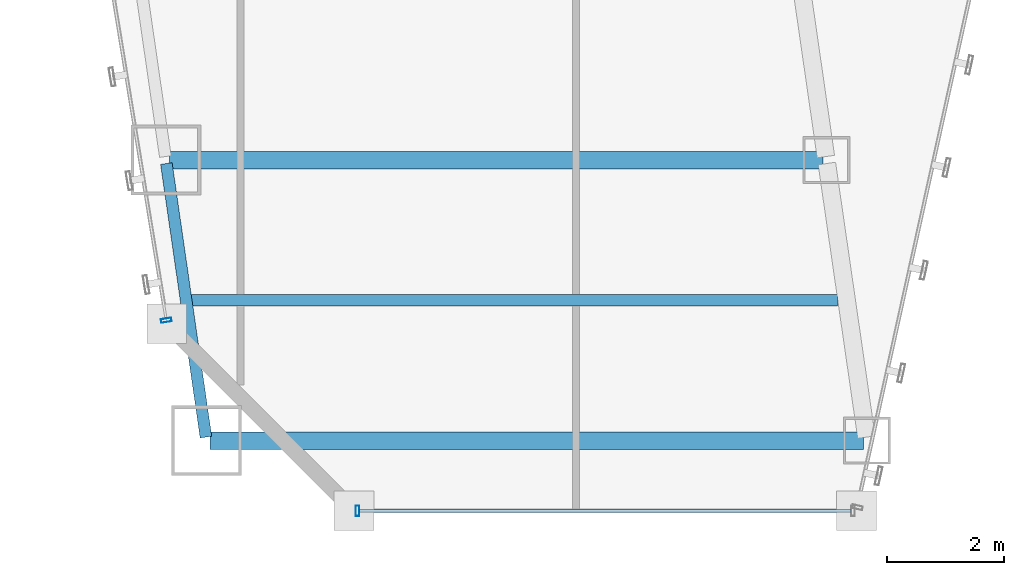
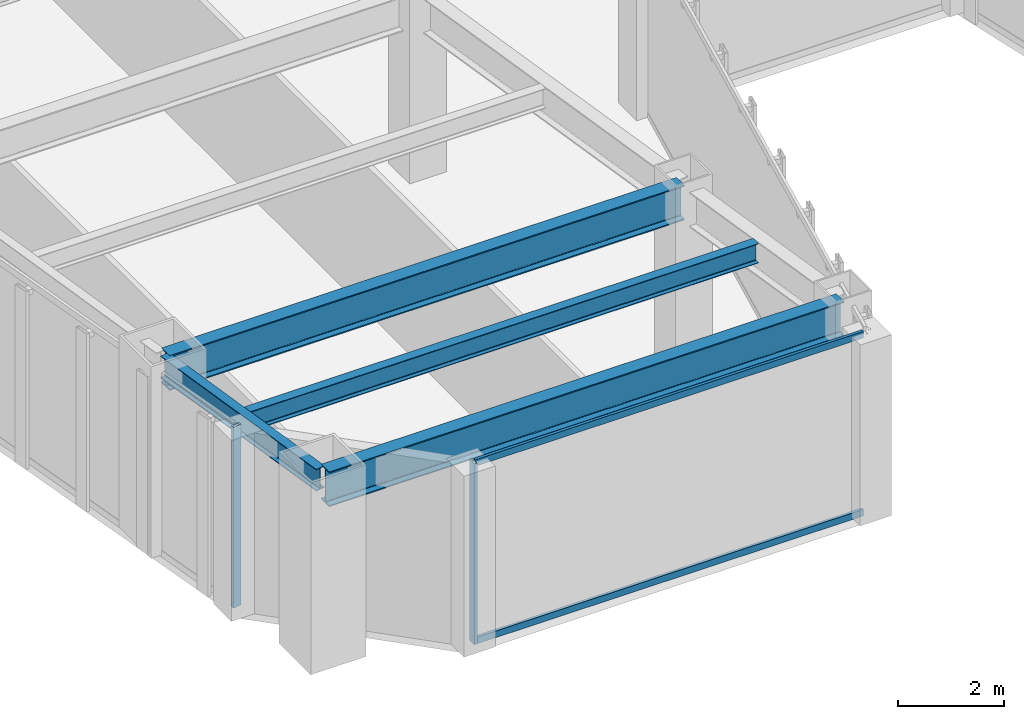
# One storey, part 4 of 47: 4 beams, 4 members, 2 elements without a shape of their own.
"""IFC4 building model written with IfcOpenShell, lengths in metres."""

from ifc_helpers import new_model, si_unit, direction, frame, origin, origin_2d, place, context, subcontext, project, spatial, hollow_rectangle, i_section, extrude, material, material_profile, profile_set, type_object, element, aggregate, save


model = new_model("IFC4")

# Units and contexts
model_context = context("Model", 3, precision=1e-05, world=origin(), true_north=direction((0.0, 1.0)))
body_context = subcontext(model_context, "Body", "Model", "MODEL_VIEW")
ifc_project = project(units=[si_unit("LENGTHUNIT", "METRE"), si_unit("AREAUNIT", "SQUARE_METRE"), si_unit("VOLUMEUNIT", "CUBIC_METRE"), si_unit("PLANEANGLEUNIT", "RADIAN"), si_unit("MASSUNIT", "GRAM", prefix="KILO")], contexts=[model_context])

# Site, building, storey
site_placement = place(None, origin())
site = spatial("IfcSite", under=ifc_project, at=site_placement, CompositionType="ELEMENT")
building_placement = place(site_placement, origin())
building = spatial("IfcBuilding", under=site, at=building_placement, Name="Saevonmaru Cultural Tower", CompositionType="ELEMENT")
storey_placement = place(building_placement, frame((0.0, 0.0, 51.60009765625)))
storey = spatial("IfcBuildingStorey", under=building, at=storey_placement, Name="L10", CompositionType="ELEMENT", Elevation=51.60009765625)

# Beams
ifc_material_1 = material(Name="Steel SM420", Category="steel")
ifc_material_profile_1 = material_profile(ifc_material_1, i_section(OverallWidth=0.300048828125, OverallDepth=0.800048828125, WebThickness=0.013916015625, FlangeThickness=0.02587890625, FilletRadius=0.028076171875, at=origin_2d()), Name="H-800x300x14x26")
ifc_profile_set_1 = profile_set([ifc_material_profile_1], Name="Steel SM420")
beam_type_1 = type_object("IfcBeamType", Name="BM-G-H800", PredefinedType="BEAM", material=ifc_profile_set_1)
for number, where, z_axis, x_axis, name in (
    (1, (12.537109375, 3.199951171875, 3.75), (1.0, 0.0, 0.0), (0.0, 1.0, 0.0), "L10 West Wing Transverse Girder 1"),
    (2, (11.843017578125, 8.0, 3.75), (1.0, 0.0, 0.0), (0.0, 1.0, 0.0), "L10 West Wing Transverse Girder 2"),
):
    element("IfcBeam", number, at=place(storey_placement, frame(where, z_axis=z_axis, x_axis=x_axis)), inside=storey, type_object=beam_type_1, Name=name, PredefinedType="BEAM", context=body_context, shape_type="SweptSolid", body=[
        extrude(i_section(OverallWidth=0.300048828125, OverallDepth=0.800048828125, WebThickness=0.013916015625, FlangeThickness=0.02587890625, FilletRadius=0.028076171875, at=origin_2d()), origin(), (0.0, 0.0, 1.0), 11.179931640625),
    ])
ifc_material_2 = material(Name="Steel SM355", Category="steel")
ifc_material_profile_2 = material_profile(ifc_material_2, i_section(OverallWidth=0.199951171875, OverallDepth=0.449951171875, WebThickness=0.009033203125, FlangeThickness=0.013916015625, FilletRadius=0.01806640625, at=origin_2d()), Name="H-450x200x9x14")
ifc_profile_set_2 = profile_set([ifc_material_profile_2], Name="Steel SM355")
beam_type_2 = type_object("IfcBeamType", Name="BM-J-H450", PredefinedType="JOIST", material=ifc_profile_set_2)
beam_1_placement = place(storey_placement, frame((12.18994140625, 5.60009765625, 3.9248046875), z_axis=(1.0, 0.0, 0.0), x_axis=(0.0, 1.0, 0.0)))
element("IfcBeam", 3, at=beam_1_placement, inside=storey, type_object=beam_type_2, Name="L10 West Wing Floor Joist 1", PredefinedType="JOIST", context=body_context, shape_type="SweptSolid", body=[
    extrude(i_section(OverallWidth=0.199951171875, OverallDepth=0.449951171875, WebThickness=0.009033203125, FlangeThickness=0.013916015625, FilletRadius=0.01806640625, at=origin_2d()), origin(), (0.0, 0.0, 1.0), 11.08203125),
])
ifc_material_profile_3 = material_profile(ifc_material_2, i_section(OverallWidth=0.199951171875, OverallDepth=0.5, WebThickness=0.010009765625, FlangeThickness=0.01611328125, FilletRadius=0.02001953125, at=origin_2d()), Name="H-500x200x10x16")
ifc_profile_set_3 = profile_set([ifc_material_profile_3], Name="Steel SM355")
beam_type_3 = type_object("IfcBeamType", Name="BM-SP-H500", PredefinedType="SPANDREL", material=ifc_profile_set_3)
beam_2_placement = place(storey_placement, frame((12.468505859375, 3.259521484375, 3.89990234375), z_axis=(-0.14313379491, 0.989703347855, 0.0), x_axis=(-0.989703347855, -0.14313379491, 0.0)))
element("IfcBeam", 4, at=beam_2_placement, inside=storey, type_object=beam_type_3, Name="L10 West Splayed Spandrel 1", PredefinedType="SPANDREL", context=body_context, shape_type="SweptSolid", body=[
    extrude(i_section(OverallWidth=0.199951171875, OverallDepth=0.5, WebThickness=0.010009765625, FlangeThickness=0.01611328125, FilletRadius=0.02001953125, at=origin_2d()), origin(), (0.0, 0.0, 1.0), 4.729736328125),
])

# Curtain wall, member
ifc_material_3 = material(Name="Satin Bronze Anodised Aluminium", Category="aluminium")
curtain_wall_type = type_object("IfcCurtainWallType", Name="CW-TYP-A", PredefinedType="NOTDEFINED", material=ifc_material_3)
curtain_wall_1_placement = place(storey_placement, origin())
curtain_wall_1 = element("IfcCurtainWall", 5, at=curtain_wall_1_placement, inside=storey, type_object=curtain_wall_type, Name="L10 Unitised Curtain Wall E2", PredefinedType="NOTDEFINED")
ifc_material_profile_4 = material_profile(ifc_material_3, hollow_rectangle(XDim=0.06494140625, YDim=0.179931640625, WallThickness=0.00390625, at=origin_2d()), Name="ALU-MULL-180x65x4")
ifc_profile_set_4 = profile_set([ifc_material_profile_4], Name="Satin Bronze Anodised Aluminium")
member_type_1 = type_object("IfcMemberType", Name="ML-CW-180x65", PredefinedType="MULLION", material=ifc_profile_set_4)
member_1_placement = place(storey_placement, frame((15.06005859375, 2.0, 0.0), z_axis=(0.0, 0.0, 1.0), x_axis=(1.0, 0.0, 0.0)))
member_1 = element("IfcMember", 6, at=member_1_placement, type_object=member_type_1, Name="CW-TW-L10-E2 mullion 1", PredefinedType="MULLION", context=body_context, shape_type="SweptSolid", body=[
    extrude(hollow_rectangle(XDim=0.06494140625, YDim=0.179931640625, WallThickness=0.00390625, at=origin_2d()), origin(), (0.0, 0.0, 1.0), 4.14990234375),
])

curtain_wall_2_placement = place(storey_placement, origin())
curtain_wall_2 = element("IfcCurtainWall", 7, at=curtain_wall_2_placement, inside=storey, type_object=curtain_wall_type, Name="L10 Unitised Curtain Wall E12", PredefinedType="NOTDEFINED")
member_2_placement = place(storey_placement, frame((11.790283203125, 5.25927734375, 0.0), z_axis=(0.0, 0.0, 1.0), x_axis=(0.161708868641, -0.986838508472, 0.0)))
member_2 = element("IfcMember", 8, at=member_2_placement, type_object=member_type_1, Name="CW-TW-L10-E12 mullion 5", PredefinedType="MULLION", context=body_context, shape_type="SweptSolid", body=[
    extrude(hollow_rectangle(XDim=0.06494140625, YDim=0.179931640625, WallThickness=0.00390625, at=origin_2d()), origin(), (0.0, 0.0, 1.0), 4.14990234375),
])
aggregate(curtain_wall_2, [member_2])

# Member
ifc_material_profile_5 = material_profile(ifc_material_3, hollow_rectangle(XDim=0.06494140625, YDim=0.14990234375, WallThickness=0.00390625, at=origin_2d()), Name="ALU-TRAN-150x65x4")
ifc_profile_set_5 = profile_set([ifc_material_profile_5], Name="Satin Bronze Anodised Aluminium")
member_type_2 = type_object("IfcMemberType", Name="TR-CW-150x65", PredefinedType="USERDEFINED", material=ifc_profile_set_5)
member_3_placement = place(storey_placement, frame((15.092529296875, 2.0, 0.032470703125), z_axis=(1.0, 0.0, 0.0), x_axis=(0.0, 1.0, 0.0)))
member_3 = element("IfcMember", 9, at=member_3_placement, type_object=member_type_2, Name="CW-TW-L10-E2 transom 1.1", ObjectType="TRANSOM", PredefinedType="USERDEFINED", context=body_context, shape_type="SweptSolid", body=[
    extrude(hollow_rectangle(XDim=0.06494140625, YDim=0.14990234375, WallThickness=0.00390625, at=origin_2d()), origin(), (0.0, 0.0, 1.0), 8.4150390625),
])

member_4_placement = place(storey_placement, frame((15.092529296875, 2.0, 4.117431640625), z_axis=(1.0, 0.0, 0.0), x_axis=(0.0, 1.0, 0.0)))
member_4 = element("IfcMember", 10, at=member_4_placement, type_object=member_type_2, Name="CW-TW-L10-E2 transom 1.2", ObjectType="TRANSOM", PredefinedType="USERDEFINED", context=body_context, shape_type="SweptSolid", body=[
    extrude(hollow_rectangle(XDim=0.06494140625, YDim=0.14990234375, WallThickness=0.00390625, at=origin_2d()), origin(), (0.0, 0.0, 1.0), 8.4150390625),
])

aggregate(curtain_wall_1, [member_1, member_3, member_4])

save(model, "model.ifc")
